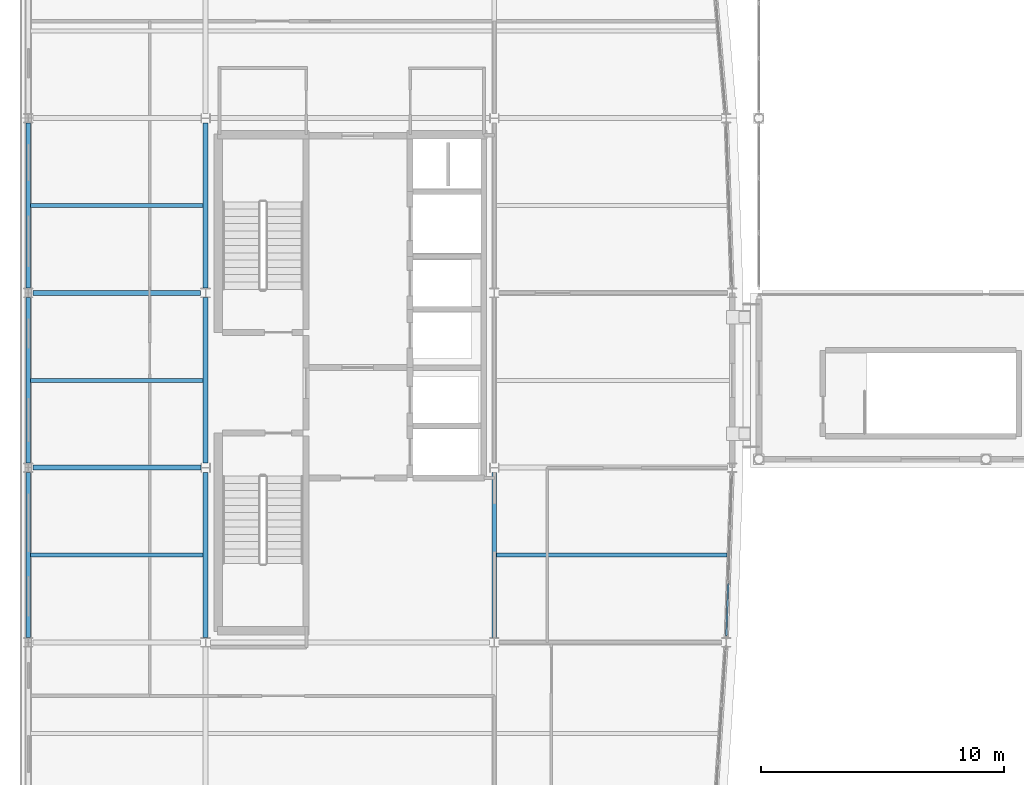
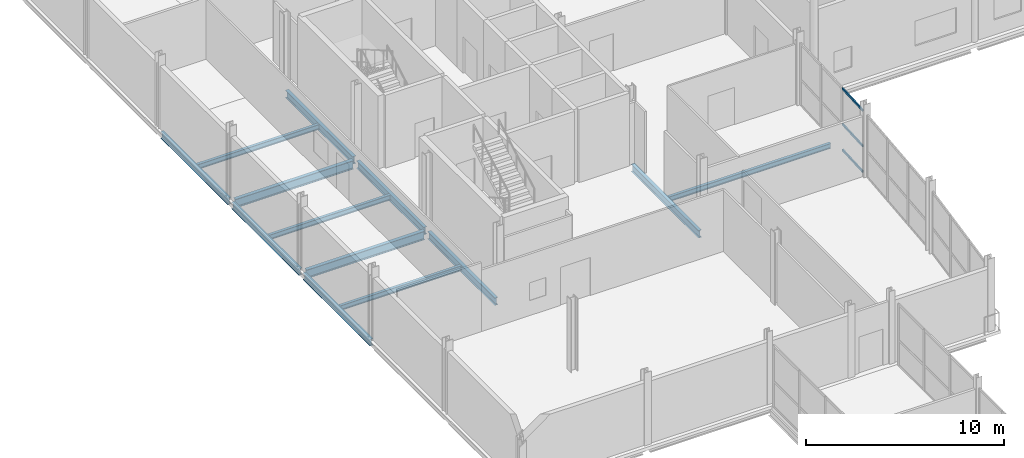
# One storey, part 29 of 77: 13 beams, 3 members, 1 element without a shape of its own.
"""IFC4 building model written with IfcOpenShell, lengths in metres."""

import ifcopenshell
import ifcopenshell.guid

model = None  # the IFC model being written
_history = None  # IfcOwnerHistory: only IFC2X3 demands one
_inside = {}  # id of a spatial element -> (the spatial element, [elements in it])
_under = {}  # id of a project, library or spatial element -> (it, [spatial elements below it])
_declared = {}  # id of a project -> (the project, [libraries it declares])
_typed = {}  # id of a type object -> (the type object, [elements of that type])
_made_of = {}  # id of a material, layer set ... -> (it, [elements and type objects made of it])


def new_model(schema):
    """Start an empty IFC model of exactly this schema.

    Asked for "IFC4X3", IfcOpenShell would pick the latest addendum, in which some entities
    have other attributes; the version numbers below select the first issue.
    IFC2X3 requires an IfcOwnerHistory on every rooted entity: one is made here for all.
    """
    global model, _history
    if schema == "IFC4X3":
        model = ifcopenshell.file(schema_version=(4, 3, 0, 0))
    else:
        model = ifcopenshell.file(schema=schema)
    _inside.clear()
    _under.clear()
    _declared.clear()
    _typed.clear()
    _made_of.clear()
    _history = None
    if model.schema == "IFC2X3":
        org = make("IfcOrganization", Name="unknown")
        user = make(
            "IfcPersonAndOrganization",
            ThePerson=make("IfcPerson", FamilyName="unknown"),
            TheOrganization=org,
        )
        app = make(
            "IfcApplication",
            ApplicationDeveloper=org,
            Version="unknown",
            ApplicationFullName="unknown",
            ApplicationIdentifier="unknown",
        )
        _history = make(
            "IfcOwnerHistory",
            OwningUser=user,
            OwningApplication=app,
            ChangeAction="ADDED",
            CreationDate=0,
        )
    return model


def make(cls, **values):
    """One entity of the class cls with the attributes given. An attribute that is None is left unset."""
    return model.create_entity(
        cls, **{name: value for name, value in values.items() if value is not None}
    )


def rooted(cls, **values):
    """An entity with a GlobalId (a new one), such as an element, a storey or a relation."""
    return make(cls, GlobalId=ifcopenshell.guid.new(), OwnerHistory=_history, **values)


def si_unit(unit_type, name, prefix=None):
    """IfcSIUnit, for example si_unit("LENGTHUNIT", "METRE", prefix="MILLI")."""
    return make("IfcSIUnit", UnitType=unit_type, Prefix=prefix, Name=name)


def assignment(units):
    """IfcUnitAssignment: the units of a project."""
    return None if units is None else make("IfcUnitAssignment", Units=units)


def point(xyz):
    """IfcCartesianPoint."""
    return None if xyz is None else make("IfcCartesianPoint", Coordinates=xyz)


def direction(xyz):
    """IfcDirection."""
    return None if xyz is None else make("IfcDirection", DirectionRatios=xyz)


def frame(location, z_axis=None, x_axis=None):
    """IfcAxis2Placement3D, a coordinate frame: its origin and axes. An axis left out is left unset."""
    return make(
        "IfcAxis2Placement3D",
        Location=point(location),
        Axis=direction(z_axis),
        RefDirection=direction(x_axis),
    )


def frame_2d(location, x_axis=None):
    """IfcAxis2Placement2D, a coordinate frame in the plane: its origin and x axis."""
    return make(
        "IfcAxis2Placement2D", Location=point(location), RefDirection=direction(x_axis)
    )


def origin():
    """The frame at (0, 0, 0) with its axes left unset."""
    return frame((0.0, 0.0, 0.0))


def origin_2d():
    """The frame at (0, 0) in the plane with its x axis left unset."""
    return frame_2d((0.0, 0.0))


def place(relative_to, where):
    """IfcLocalPlacement: puts the frame where relative to a parent placement (None: the world)."""
    return make(
        "IfcLocalPlacement", PlacementRelTo=relative_to, RelativePlacement=where
    )


def context(
    kind, dimensions, precision=None, world=None, true_north=None, identifier=None
):
    """IfcGeometricRepresentationContext, for example the 3D "Model" context."""
    return make(
        "IfcGeometricRepresentationContext",
        ContextIdentifier=identifier,
        ContextType=kind,
        CoordinateSpaceDimension=dimensions,
        Precision=precision,
        WorldCoordinateSystem=world,
        TrueNorth=true_north,
    )


def subcontext(parent, identifier, kind, view, scale=None):
    """IfcGeometricRepresentationSubContext, for example "Body" below "Model"."""
    return make(
        "IfcGeometricRepresentationSubContext",
        ContextIdentifier=identifier,
        ContextType=kind,
        ParentContext=parent,
        TargetScale=scale,
        TargetView=view,
    )


def project(units=None, contexts=None):
    """IfcProject with its units and contexts."""
    return rooted(
        "IfcProject",
        Name="project",
        RepresentationContexts=contexts,
        UnitsInContext=assignment(units),
    )


def spatial(cls, under=None, at=None, **own):
    """A site, building, storey or space (cls), placed at a placement, below another one or the project."""
    s = rooted(cls, ObjectPlacement=at, **own)
    if under is not None:
        _under.setdefault(under.id(), (under, []))[1].append(s)
    return s


def profile(cls, at=None, kind="AREA", **sizes):
    """A parametric profile (cls). Its sizes go by their IFC names, for example OverallWidth=200.0."""
    return make(cls, ProfileType=kind, Position=at, **sizes)


def hollow_rectangle(**sizes):
    """IfcRectangleHollowProfileDef."""
    return profile("IfcRectangleHollowProfileDef", **sizes)


def i_section(**sizes):
    """IfcIShapeProfileDef."""
    return profile("IfcIShapeProfileDef", **sizes)


def extrude(swept, where, along, depth):
    """IfcExtrudedAreaSolid: the profile swept, set in the frame where, extruded along a direction by depth."""
    return make(
        "IfcExtrudedAreaSolid",
        SweptArea=swept,
        Position=where,
        ExtrudedDirection=direction(along),
        Depth=depth,
    )


def shape(context_of_items, identifier, shape_type, items):
    """IfcShapeRepresentation: the items that make up one representation, for example the "Body"."""
    return make(
        "IfcShapeRepresentation",
        ContextOfItems=context_of_items,
        RepresentationIdentifier=identifier,
        RepresentationType=shape_type,
        Items=items,
    )


def material(Name=None, Category=None):
    """IfcMaterial."""
    return make("IfcMaterial", Name=Name, Category=Category)


def layer(
    of_material, thickness, ventilated=None, Name=None, Category=None, Priority=None
):
    """IfcMaterialLayer: one layer of a wall or slab, of a material (None: an air gap)."""
    return make(
        "IfcMaterialLayer",
        Material=of_material,
        LayerThickness=thickness,
        IsVentilated=ventilated,
        Name=Name,
        Category=Category,
        Priority=Priority,
    )


def layer_set(layers, Name=None):
    """IfcMaterialLayerSet."""
    return make("IfcMaterialLayerSet", MaterialLayers=layers, LayerSetName=Name)


def material_profile(
    of_material, cross_section, Name=None, Category=None, Priority=None
):
    """IfcMaterialProfile: a cross section and its material."""
    return make(
        "IfcMaterialProfile",
        Name=Name,
        Material=of_material,
        Profile=cross_section,
        Priority=Priority,
        Category=Category,
    )


def profile_set(profiles, Name=None, composite=None):
    """IfcMaterialProfileSet."""
    return make(
        "IfcMaterialProfileSet",
        Name=Name,
        MaterialProfiles=profiles,
        CompositeProfile=composite,
    )


def made_of(thing, what):
    """Note that an element or type object is made of a material, layer set ...; save() writes the relation."""
    if what is not None:
        _made_of.setdefault(what.id(), (what, []))[1].append(thing)
    return thing


def type_object(cls, material=None, **own):
    """A type object (cls), such as IfcWallType, which elements share."""
    return made_of(rooted(cls, **own), material)


def element(
    cls,
    number,
    at=None,
    inside=None,
    cuts=None,
    type_object=None,
    material=None,
    context=None,
    identifier="Body",
    shape_type=None,
    held_by="IfcProductDefinitionShape",
    body=None,
    shapes=None,
    **own,
):
    """One element of the class cls, such as IfcWall. Its Tag is "e" and its number.

    at: its placement. inside: the storey or other place that contains it. cuts: it is an
    opening in that element (IfcRelVoidsElement). A single representation is given by context,
    identifier, shape_type and body (its items); several are given by shapes. held_by: the class
    of the entity that holds the representations. save() writes the other relations.
    """
    e = rooted(cls, Tag="e%d" % number, ObjectPlacement=at, **own)
    if body is not None:
        shapes = [shape(context, identifier, shape_type, body)]
    if shapes is not None:
        e.Representation = make(held_by, Representations=shapes)
    if inside is not None:
        _inside.setdefault(inside.id(), (inside, []))[1].append(e)
    if cuts is not None:
        rooted(
            "IfcRelVoidsElement", RelatingBuildingElement=cuts, RelatedOpeningElement=e
        )
    if type_object is not None:
        _typed.setdefault(type_object.id(), (type_object, []))[1].append(e)
    return made_of(e, material)


def aggregate(whole, parts):
    """IfcRelAggregates: a whole, such as a stair, and the parts it consists of."""
    return rooted("IfcRelAggregates", RelatingObject=whole, RelatedObjects=parts)


def save(model, path):
    """Write the relations noted so far, then the file.

    IfcRelAggregates (storeys below a building ...), IfcRelContainedInSpatialStructure (elements
    in a storey), IfcRelDefinesByType, IfcRelAssociatesMaterial and IfcRelDeclares: one each for
    every whole, place, type object, material and project.
    """
    for whole, parts in _under.values():
        aggregate(whole, parts)
    for where, things in _inside.values():
        rooted(
            "IfcRelContainedInSpatialStructure",
            RelatedElements=things,
            RelatingStructure=where,
        )
    for kind, things in _typed.values():
        rooted("IfcRelDefinesByType", RelatedObjects=things, RelatingType=kind)
    for what, things in _made_of.values():
        rooted("IfcRelAssociatesMaterial", RelatedObjects=things, RelatingMaterial=what)
    for by, libraries in _declared.values():
        rooted("IfcRelDeclares", RelatingContext=by, RelatedDefinitions=libraries)
    model.write(path)


model = new_model("IFC4")

# Units and contexts
model_context = context("Model", 3, precision=1e-05, world=origin(), true_north=direction((0.0, 1.0)))
body_context = subcontext(model_context, "Body", "Model", "MODEL_VIEW")
ifc_project = project(units=[si_unit("LENGTHUNIT", "METRE"), si_unit("AREAUNIT", "SQUARE_METRE"), si_unit("VOLUMEUNIT", "CUBIC_METRE"), si_unit("PLANEANGLEUNIT", "RADIAN"), si_unit("MASSUNIT", "GRAM", prefix="KILO")], contexts=[model_context])

# Site, building, storey
site_placement = place(None, origin())
site = spatial("IfcSite", under=ifc_project, at=site_placement, CompositionType="ELEMENT")
building_placement = place(site_placement, origin())
building = spatial("IfcBuilding", under=site, at=building_placement, Name="Quillay Park Conservatory", CompositionType="ELEMENT")
storey_placement = place(building_placement, frame((0.0, 0.0, 5.39990234375)))
storey = spatial("IfcBuildingStorey", under=building, at=storey_placement, Name="L01", CompositionType="ELEMENT", Elevation=5.39990234375)

# Beams
ifc_material_1 = material(Name="Steel ASTM A992 Grade 50", Category="steel")
ifc_material_profile_1 = material_profile(ifc_material_1, i_section(OverallWidth=0.166015625, OverallDepth=0.31298828125, WebThickness=0.006591796875, FlangeThickness=0.01123046875, FilletRadius=0.010009765625, at=origin_2d()), Name="W310x45")
ifc_profile_set_1 = profile_set([ifc_material_profile_1], Name="Steel ASTM A992 Grade 50")
beam_type_1 = type_object("IfcBeamType", Name="COMPOSITE FLOOR JOIST W310 X45", PredefinedType="JOIST", material=ifc_profile_set_1)
beam_1_placement = place(storey_placement, frame((0.639892578125, 81.60009765625, -0.3564453125), z_axis=(1.0, 0.0, 0.0), x_axis=(0.0, 1.0, 0.0)))
element("IfcBeam", 1, at=beam_1_placement, inside=storey, type_object=beam_type_1, Name="L01 beam BM-J-0148", PredefinedType="JOIST", context=body_context, shape_type="SweptSolid", body=[
    extrude(i_section(OverallWidth=0.166015625, OverallDepth=0.31298828125, WebThickness=0.006591796875, FlangeThickness=0.01123046875, FilletRadius=0.010009765625, at=origin_2d()), origin(), (0.0, 0.0, 1.0), 7.114013671875),
])
beam_2_placement = place(storey_placement, frame((19.845947265625, 81.60009765625, -0.3564453125), z_axis=(1.0, 0.0, 0.0), x_axis=(0.0, 1.0, 0.0)))
element("IfcBeam", 2, at=beam_2_placement, inside=storey, type_object=beam_type_1, Name="L01 beam BM-J-0149", PredefinedType="JOIST", context=body_context, shape_type="SweptSolid", body=[
    extrude(i_section(OverallWidth=0.166015625, OverallDepth=0.31298828125, WebThickness=0.006591796875, FlangeThickness=0.01123046875, FilletRadius=0.010009765625, at=origin_2d()), origin(), (0.0, 0.0, 1.0), 9.489013671875),
])
for number, where, z_axis, x_axis, name in (
    (3, (0.639892578125, 88.800048828125, -0.3564453125), (1.0, 0.0, 0.0), (0.0, 1.0, 0.0), "L01 beam BM-J-0154"),
    (4, (0.639892578125, 96.0, -0.3564453125), (1.0, 0.0, 0.0), (0.0, 1.0, 0.0), "L01 beam BM-J-0160"),
):
    element("IfcBeam", number, at=place(storey_placement, frame(where, z_axis=z_axis, x_axis=x_axis)), inside=storey, type_object=beam_type_1, Name=name, PredefinedType="JOIST", context=body_context, shape_type="SweptSolid", body=[
        extrude(i_section(OverallWidth=0.166015625, OverallDepth=0.31298828125, WebThickness=0.006591796875, FlangeThickness=0.01123046875, FilletRadius=0.010009765625, at=origin_2d()), origin(), (0.0, 0.0, 1.0), 7.114013671875),
    ])

# Curtain wall, members
ifc_material_2 = material(Name="Thermally Broken Anodised Aluminium 6063-T6", Category="aluminium")
ifc_layer = layer(ifc_material_2, 0.179931640625)
ifc_layer_set = layer_set([ifc_layer], Name="UNITISED CURTAIN WALL TOWER (Thermally Broken Anodised Aluminium 6063-T6)")
curtain_wall_type = type_object("IfcCurtainWallType", Name="UNITISED CURTAIN WALL TOWER", PredefinedType="USERDEFINED", material=ifc_layer_set)
curtain_wall_placement = place(storey_placement, origin())
curtain_wall = element("IfcCurtainWall", 5, at=curtain_wall_placement, inside=storey, type_object=curtain_wall_type, Name="L01 Unitised Curtain Wall 012", ObjectType="UNITISED CURTAIN WALL", PredefinedType="USERDEFINED")
ifc_material_3 = material(Name="Thermally Broken Anodised Aluminium 6063-T6", Category="aluminium")
ifc_material_profile_2 = material_profile(ifc_material_3, hollow_rectangle(XDim=0.070068359375, YDim=0.1298828125, WallThickness=0.003173828125, at=origin_2d()), Name="AL70x130x3.2")
ifc_profile_set_2 = profile_set([ifc_material_profile_2], Name="Thermally Broken Anodised Aluminium 6063-T6")
member_type = type_object("IfcMemberType", Name="CURTAIN WALL TRANSOM 70 X130", PredefinedType="USERDEFINED", material=ifc_profile_set_2)
member_1_placement = place(storey_placement, frame((29.384521484375, 80.431640625, 0.03515625), z_axis=(-0.034761587249, -0.999395633396, 0.0), x_axis=(0.999395633396, -0.034761587249, 0.0)))
member_1 = element("IfcMember", 6, at=member_1_placement, type_object=member_type, Name="CW-T1 transom 3.1", ObjectType="TRANSOM", PredefinedType="USERDEFINED", context=body_context, shape_type="SweptSolid", body=[
    extrude(hollow_rectangle(XDim=0.070068359375, YDim=0.1298828125, WallThickness=0.003173828125, at=origin_2d()), origin(), (0.0, 0.0, 1.0), 2.1630859375),
])
member_2_placement = place(storey_placement, frame((29.384521484375, 80.431640625, 1.620849609375), z_axis=(-0.034761587249, -0.999395633396, 0.0), x_axis=(0.999395633396, -0.034761587249, 0.0)))
member_2 = element("IfcMember", 7, at=member_2_placement, type_object=member_type, Name="CW-T1 transom 3.2", ObjectType="TRANSOM", PredefinedType="USERDEFINED", context=body_context, shape_type="SweptSolid", body=[
    extrude(hollow_rectangle(XDim=0.070068359375, YDim=0.1298828125, WallThickness=0.003173828125, at=origin_2d()), origin(), (0.0, 0.0, 1.0), 2.1630859375),
])
member_3_placement = place(storey_placement, frame((29.384521484375, 80.431640625, 3.82421875), z_axis=(-0.034761587249, -0.999395633396, 0.0), x_axis=(0.999395633396, -0.034761587249, 0.0)))
member_3 = element("IfcMember", 8, at=member_3_placement, type_object=member_type, Name="CW-T1 transom 3.3", ObjectType="TRANSOM", PredefinedType="USERDEFINED", context=body_context, shape_type="SweptSolid", body=[
    extrude(hollow_rectangle(XDim=0.070068359375, YDim=0.1298828125, WallThickness=0.003173828125, at=origin_2d()), origin(), (0.0, 0.0, 1.0), 2.1630859375),
])
aggregate(curtain_wall, [member_1, member_2, member_3])

# Beams
ifc_material_4 = material(Name="Steel ASTM A992 Grade 50", Category="steel")
ifc_material_profile_3 = material_profile(ifc_material_4, i_section(OverallWidth=0.179931640625, OverallDepth=0.4130859375, WebThickness=0.009765625, FlangeThickness=0.01611328125, FilletRadius=0.011962890625, at=origin_2d()), Name="W410x74")
ifc_profile_set_3 = profile_set([ifc_material_profile_3], Name="Steel ASTM A992 Grade 50")
beam_type_2 = type_object("IfcBeamType", Name="PERIMETER SPANDREL BEAM W410 X74", PredefinedType="SPANDREL", material=ifc_profile_set_3)
beam_3_placement = place(storey_placement, frame((0.550048828125, 78.196533203125, -0.406494140625), z_axis=(0.0, 1.0, 0.0), x_axis=(-1.0, 0.0, 0.0)))
element("IfcBeam", 9, at=beam_3_placement, inside=storey, type_object=beam_type_2, Name="L01 beam BM-SPW-0144", PredefinedType="SPANDREL", context=body_context, shape_type="SweptSolid", body=[
    extrude(i_section(OverallWidth=0.179931640625, OverallDepth=0.4130859375, WebThickness=0.009765625, FlangeThickness=0.01611328125, FilletRadius=0.011962890625, at=origin_2d()), origin(), (0.0, 0.0, 1.0), 6.806884765625),
])
for number, where, z_axis, x_axis, name in (
    (10, (0.550048828125, 85.396484375, -0.406494140625), (0.0, 1.0, 0.0), (-1.0, 0.0, 0.0), "L01 beam BM-SPW-0150"),
    (11, (0.550048828125, 92.596435546875, -0.406494140625), (0.0, 1.0, 0.0), (-1.0, 0.0, 0.0), "L01 beam BM-SPW-0156"),
):
    element("IfcBeam", number, at=place(storey_placement, frame(where, z_axis=z_axis, x_axis=x_axis)), inside=storey, type_object=beam_type_2, Name=name, PredefinedType="SPANDREL", context=body_context, shape_type="SweptSolid", body=[
        extrude(i_section(OverallWidth=0.179931640625, OverallDepth=0.4130859375, WebThickness=0.009765625, FlangeThickness=0.01611328125, FilletRadius=0.011962890625, at=origin_2d()), origin(), (0.0, 0.0, 1.0), 6.80712890625),
    ])
ifc_material_5 = material(Name="Steel ASTM A992 Grade 50", Category="steel")
ifc_material_profile_4 = material_profile(ifc_material_5, i_section(OverallWidth=0.19189453125, OverallDepth=0.462890625, WebThickness=0.010498046875, FlangeThickness=0.017578125, FilletRadius=0.012939453125, at=origin_2d()), Name="W460x89")
ifc_profile_set_4 = profile_set([ifc_material_profile_4], Name="Steel ASTM A992 Grade 50")
beam_type_3 = type_object("IfcBeamType", Name="PRIMARY FLOOR GIRDER W460 X89", PredefinedType="BEAM", material=ifc_profile_set_4)
for number, where, z_axis, x_axis, name in (
    (12, (7.85009765625, 78.196533203125, -0.431396484375), (0.0, 1.0, 0.0), (-1.0, 0.0, 0.0), "L01 beam BM-GNS-0146"),
    (13, (19.75, 78.196533203125, -0.431396484375), (0.0, 1.0, 0.0), (-1.0, 0.0, 0.0), "L01 beam BM-GNS-0147"),
):
    element("IfcBeam", number, at=place(storey_placement, frame(where, z_axis=z_axis, x_axis=x_axis)), inside=storey, type_object=beam_type_3, Name=name, PredefinedType="BEAM", context=body_context, shape_type="SweptSolid", body=[
        extrude(i_section(OverallWidth=0.19189453125, OverallDepth=0.462890625, WebThickness=0.010498046875, FlangeThickness=0.017578125, FilletRadius=0.012939453125, at=origin_2d()), origin(), (0.0, 0.0, 1.0), 6.803955078125),
    ])
beam_4_placement = place(storey_placement, frame((7.85009765625, 85.3994140625, -0.431396484375), z_axis=(0.0, 1.0, 0.0), x_axis=(-1.0, 0.0, 0.0)))
element("IfcBeam", 14, at=beam_4_placement, inside=storey, type_object=beam_type_3, Name="L01 beam BM-GNS-0152", PredefinedType="BEAM", context=body_context, shape_type="SweptSolid", body=[
    extrude(i_section(OverallWidth=0.19189453125, OverallDepth=0.462890625, WebThickness=0.010498046875, FlangeThickness=0.017578125, FilletRadius=0.012939453125, at=origin_2d()), origin(), (0.0, 0.0, 1.0), 6.80419921875),
])
beam_5_placement = place(storey_placement, frame((7.85009765625, 92.596435546875, -0.431396484375), z_axis=(0.0, 1.0, 0.0), x_axis=(-1.0, 0.0, 0.0)))
element("IfcBeam", 15, at=beam_5_placement, inside=storey, type_object=beam_type_3, Name="L01 beam BM-GNS-0158", PredefinedType="BEAM", context=body_context, shape_type="SweptSolid", body=[
    extrude(i_section(OverallWidth=0.19189453125, OverallDepth=0.462890625, WebThickness=0.010498046875, FlangeThickness=0.017578125, FilletRadius=0.012939453125, at=origin_2d()), origin(), (0.0, 0.0, 1.0), 6.803955078125),
])
ifc_material_6 = material(Name="Steel ASTM A992 Grade 50", Category="steel")
ifc_material_profile_5 = material_profile(ifc_material_6, i_section(OverallWidth=0.2109375, OverallDepth=0.5390625, WebThickness=0.01171875, FlangeThickness=0.018798828125, FilletRadius=0.013916015625, at=origin_2d()), Name="W530x109")
ifc_profile_set_5 = profile_set([ifc_material_profile_5], Name="Steel ASTM A992 Grade 50")
beam_type_4 = type_object("IfcBeamType", Name="PRIMARY FLOOR GIRDER W530 X109", PredefinedType="BEAM", material=ifc_profile_set_5)
beam_6_placement = place(storey_placement, frame((0.74951171875, 85.199951171875, -0.469482421875), z_axis=(1.0, 0.0, 0.0), x_axis=(0.0, 1.0, 0.0)))
element("IfcBeam", 16, at=beam_6_placement, inside=storey, type_object=beam_type_4, Name="L01 beam BM-G-0117", PredefinedType="BEAM", context=body_context, shape_type="SweptSolid", body=[
    extrude(i_section(OverallWidth=0.2109375, OverallDepth=0.5390625, WebThickness=0.01171875, FlangeThickness=0.018798828125, FilletRadius=0.013916015625, at=origin_2d()), origin(), (0.0, 0.0, 1.0), 6.904052734375),
])
beam_7_placement = place(storey_placement, frame((0.74951171875, 92.39990234375, -0.469482421875), z_axis=(1.0, 0.0, 0.0), x_axis=(0.0, 1.0, 0.0)))
element("IfcBeam", 17, at=beam_7_placement, inside=storey, type_object=beam_type_4, Name="L01 beam BM-G-0119", PredefinedType="BEAM", context=body_context, shape_type="SweptSolid", body=[
    extrude(i_section(OverallWidth=0.2109375, OverallDepth=0.5390625, WebThickness=0.01171875, FlangeThickness=0.018798828125, FilletRadius=0.013916015625, at=origin_2d()), origin(), (0.0, 0.0, 1.0), 6.90087890625),
])

save(model, "model.ifc")
